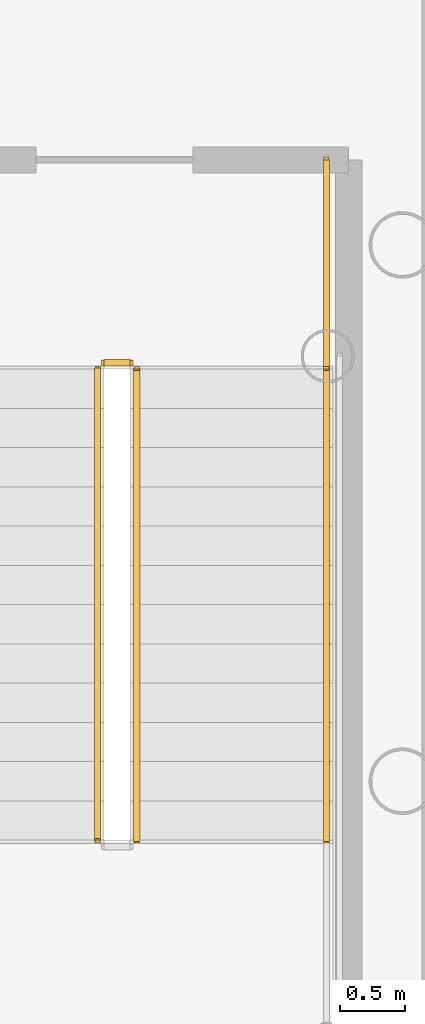
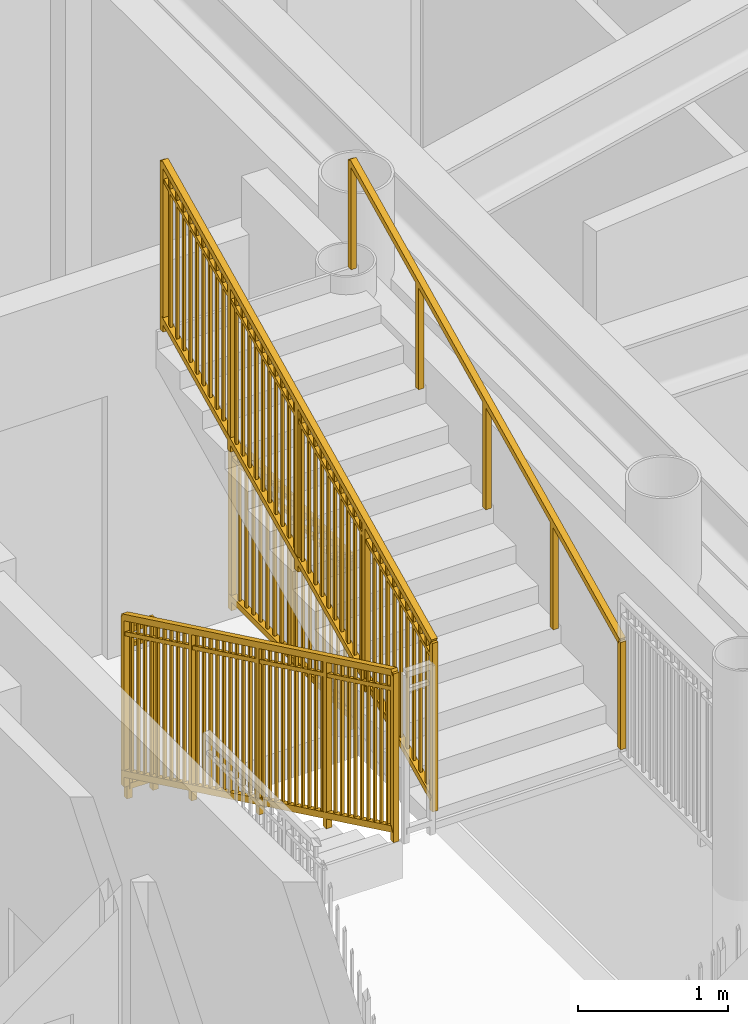
# One storey, part 17 of 18: 5 railings.
"""IFC4 building model written with IfcOpenShell, lengths in metres."""

from ifc_helpers import new_model, si_unit, direction, frame, origin, origin_2d, place, context, subcontext, project, spatial, rectangle, extrude, source, transform, mapped, material, type_object, element, save


model = new_model("IFC4")

# Units and contexts
model_context = context("Model", 3, precision=1e-05, world=origin(), true_north=direction((0.0, 1.0)))
body_context = subcontext(model_context, "Body", "Model", "MODEL_VIEW")
ifc_project = project(units=[si_unit("LENGTHUNIT", "METRE"), si_unit("AREAUNIT", "SQUARE_METRE"), si_unit("VOLUMEUNIT", "CUBIC_METRE"), si_unit("PLANEANGLEUNIT", "RADIAN"), si_unit("MASSUNIT", "GRAM", prefix="KILO")], contexts=[model_context])

# Site, building, storey
site_placement = place(None, origin())
site = spatial("IfcSite", under=ifc_project, at=site_placement, CompositionType="ELEMENT")
building_placement = place(site_placement, origin())
building = spatial("IfcBuilding", under=site, at=building_placement, Name="Linh Dai School and Residence Tower", CompositionType="ELEMENT")
storey_placement = place(building_placement, frame((0.0, 0.0, 178.64990234375)))
storey = spatial("IfcBuildingStorey", under=building, at=storey_placement, Name="L43", CompositionType="ELEMENT", Elevation=178.64990234375)

# Railings
ifc_material_1 = material(Name="Structural Steel S355JR", Category="steel")
railing_type_1 = type_object("IfcRailingType", Name="RL-ST-GUARD-1400", PredefinedType="GUARDRAIL", material=ifc_material_1)
shared_shape_1 = source(origin(), body_context, "Body", "SweptSolid", [
    extrude(rectangle(XDim=0.048095703125, YDim=0.048095703125, at=origin_2d()), frame((0.0, 0.0, 1.3759765625), z_axis=(0.0, 0.901262522062, 0.433273431364), x_axis=(-1.0, 0.0, 0.0)), (0.0, 0.0, 1.0), 3.994384765625),
    extrude(rectangle(XDim=0.048095703125, YDim=0.048095703125, at=origin_2d()), frame((0.0, 0.0, 0.10009765625), z_axis=(0.0, 0.901262522062, 0.433273431364), x_axis=(-1.0, 0.0, 0.0)), (0.0, 0.0, 1.0), 3.994384765625),
    extrude(rectangle(XDim=0.030029296875, YDim=0.030029296875, at=origin_2d()), frame((0.0, 0.0, 1.239990234375), z_axis=(0.0, 0.901262522062, 0.433273431364), x_axis=(-1.0, 0.0, 0.0)), (0.0, 0.0, 1.0), 3.994384765625),
    extrude(rectangle(XDim=0.02001953125, YDim=0.02001953125, at=origin_2d()), frame((0.0, 0.087890625, 0.142333984375)), (0.0, 0.0, 1.0), 1.251708984375),
    extrude(rectangle(XDim=0.02001953125, YDim=0.02001953125, at=origin_2d()), frame((0.0, 0.175537109375, 0.1845703125)), (0.0, 0.0, 1.0), 1.251708984375),
    extrude(rectangle(XDim=0.02001953125, YDim=0.02001953125, at=origin_2d()), frame((0.0, 0.263427734375, 0.226806640625)), (0.0, 0.0, 1.0), 1.251708984375),
    extrude(rectangle(XDim=0.02001953125, YDim=0.02001953125, at=origin_2d()), frame((0.0, 0.351318359375, 0.26904296875)), (0.0, 0.0, 1.0), 1.251708984375),
    extrude(rectangle(XDim=0.02001953125, YDim=0.02001953125, at=origin_2d()), frame((0.0, 0.43896484375, 0.311279296875)), (0.0, 0.0, 1.0), 1.251708984375),
    extrude(rectangle(XDim=0.02001953125, YDim=0.02001953125, at=origin_2d()), frame((0.0, 0.52685546875, 0.353271484375)), (0.0, 0.0, 1.0), 1.251708984375),
    extrude(rectangle(XDim=0.02001953125, YDim=0.02001953125, at=origin_2d()), frame((0.0, 0.61474609375, 0.3955078125)), (0.0, 0.0, 1.0), 1.251708984375),
    extrude(rectangle(XDim=0.02001953125, YDim=0.02001953125, at=origin_2d()), frame((0.0, 0.702392578125, 0.437744140625)), (0.0, 0.0, 1.0), 1.251708984375),
    extrude(rectangle(XDim=0.02001953125, YDim=0.02001953125, at=origin_2d()), frame((0.0, 0.790283203125, 0.47998046875)), (0.0, 0.0, 1.0), 1.251708984375),
    extrude(rectangle(XDim=0.02001953125, YDim=0.02001953125, at=origin_2d()), frame((0.0, 0.9658203125, 0.564453125)), (0.0, 0.0, 1.0), 1.251708984375),
    extrude(rectangle(XDim=0.02001953125, YDim=0.02001953125, at=origin_2d()), frame((0.0, 1.0537109375, 0.606689453125)), (0.0, 0.0, 1.0), 1.251708984375),
    extrude(rectangle(XDim=0.02001953125, YDim=0.02001953125, at=origin_2d()), frame((0.0, 1.1416015625, 0.64892578125)), (0.0, 0.0, 1.0), 1.251708984375),
    extrude(rectangle(XDim=0.02001953125, YDim=0.02001953125, at=origin_2d()), frame((0.0, 1.229248046875, 0.691162109375)), (0.0, 0.0, 1.0), 1.251708984375),
    extrude(rectangle(XDim=0.02001953125, YDim=0.02001953125, at=origin_2d()), frame((0.0, 1.317138671875, 0.7333984375)), (0.0, 0.0, 1.0), 1.251708984375),
    extrude(rectangle(XDim=0.02001953125, YDim=0.02001953125, at=origin_2d()), frame((0.0, 1.405029296875, 0.775390625)), (0.0, 0.0, 1.0), 1.251708984375),
    extrude(rectangle(XDim=0.02001953125, YDim=0.02001953125, at=origin_2d()), frame((0.0, 1.49267578125, 0.817626953125)), (0.0, 0.0, 1.0), 1.251708984375),
    extrude(rectangle(XDim=0.02001953125, YDim=0.02001953125, at=origin_2d()), frame((0.0, 1.58056640625, 0.85986328125)), (0.0, 0.0, 1.0), 1.251708984375),
    extrude(rectangle(XDim=0.02001953125, YDim=0.02001953125, at=origin_2d()), frame((0.0, 1.66845703125, 0.902099609375)), (0.0, 0.0, 1.0), 1.251708984375),
    extrude(rectangle(XDim=0.02001953125, YDim=0.02001953125, at=origin_2d()), frame((0.0, 1.756103515625, 0.9443359375)), (0.0, 0.0, 1.0), 1.251708984375),
    extrude(rectangle(XDim=0.02001953125, YDim=0.02001953125, at=origin_2d()), frame((0.0, 1.843994140625, 0.986572265625)), (0.0, 0.0, 1.0), 1.251708984375),
    extrude(rectangle(XDim=0.02001953125, YDim=0.02001953125, at=origin_2d()), frame((0.0, 1.931640625, 1.02880859375)), (0.0, 0.0, 1.0), 1.251708984375),
    extrude(rectangle(XDim=0.02001953125, YDim=0.02001953125, at=origin_2d()), frame((0.0, 2.01953125, 1.071044921875)), (0.0, 0.0, 1.0), 1.251708984375),
    extrude(rectangle(XDim=0.02001953125, YDim=0.02001953125, at=origin_2d()), frame((0.0, 2.107421875, 1.11328125)), (0.0, 0.0, 1.0), 1.251708984375),
    extrude(rectangle(XDim=0.02001953125, YDim=0.02001953125, at=origin_2d()), frame((0.0, 2.195068359375, 1.155517578125)), (0.0, 0.0, 1.0), 1.251708984375),
    extrude(rectangle(XDim=0.02001953125, YDim=0.02001953125, at=origin_2d()), frame((0.0, 2.282958984375, 1.197509765625)), (0.0, 0.0, 1.0), 1.251708984375),
    extrude(rectangle(XDim=0.02001953125, YDim=0.02001953125, at=origin_2d()), frame((0.0, 2.370849609375, 1.23974609375)), (0.0, 0.0, 1.0), 1.251708984375),
    extrude(rectangle(XDim=0.02001953125, YDim=0.02001953125, at=origin_2d()), frame((0.0, 2.45849609375, 1.281982421875)), (0.0, 0.0, 1.0), 1.251708984375),
    extrude(rectangle(XDim=0.02001953125, YDim=0.02001953125, at=origin_2d()), frame((0.0, 2.54638671875, 1.32421875)), (0.0, 0.0, 1.0), 1.251708984375),
    extrude(rectangle(XDim=0.02001953125, YDim=0.02001953125, at=origin_2d()), frame((0.0, 2.63427734375, 1.366455078125)), (0.0, 0.0, 1.0), 1.251708984375),
    extrude(rectangle(XDim=0.02001953125, YDim=0.02001953125, at=origin_2d()), frame((0.0, 2.809814453125, 1.450927734375)), (0.0, 0.0, 1.0), 1.251708984375),
    extrude(rectangle(XDim=0.02001953125, YDim=0.02001953125, at=origin_2d()), frame((0.0, 2.897705078125, 1.4931640625)), (0.0, 0.0, 1.0), 1.251708984375),
    extrude(rectangle(XDim=0.02001953125, YDim=0.02001953125, at=origin_2d()), frame((0.0, 2.9853515625, 1.535400390625)), (0.0, 0.0, 1.0), 1.251708984375),
    extrude(rectangle(XDim=0.02001953125, YDim=0.02001953125, at=origin_2d()), frame((0.0, 3.0732421875, 1.57763671875)), (0.0, 0.0, 1.0), 1.251708984375),
    extrude(rectangle(XDim=0.02001953125, YDim=0.02001953125, at=origin_2d()), frame((0.0, 3.1611328125, 1.61962890625)), (0.0, 0.0, 1.0), 1.251708984375),
    extrude(rectangle(XDim=0.02001953125, YDim=0.02001953125, at=origin_2d()), frame((0.0, 3.248779296875, 1.661865234375)), (0.0, 0.0, 1.0), 1.251708984375),
    extrude(rectangle(XDim=0.02001953125, YDim=0.02001953125, at=origin_2d()), frame((0.0, 3.336669921875, 1.7041015625)), (0.0, 0.0, 1.0), 1.251708984375),
    extrude(rectangle(XDim=0.02001953125, YDim=0.02001953125, at=origin_2d()), frame((0.0, 3.424560546875, 1.746337890625)), (0.0, 0.0, 1.0), 1.251708984375),
    extrude(rectangle(XDim=0.02001953125, YDim=0.02001953125, at=origin_2d()), frame((0.0, 3.51220703125, 1.78857421875)), (0.0, 0.0, 1.0), 1.251708984375),
    extrude(rectangle(XDim=0.0419921875, YDim=0.0419921875, at=origin_2d()), origin(), (0.0, 0.0, 1.0), 1.3759765625),
    extrude(rectangle(XDim=0.0419921875, YDim=0.0419921875, at=origin_2d()), frame((0.0, 0.89990234375, 0.4326171875)), (0.0, 0.0, 1.0), 1.3759765625),
    extrude(rectangle(XDim=0.0419921875, YDim=0.0419921875, at=origin_2d()), frame((0.0, 1.800048828125, 0.865234375)), (0.0, 0.0, 1.0), 1.3759765625),
    extrude(rectangle(XDim=0.0419921875, YDim=0.0419921875, at=origin_2d()), frame((0.0, 2.7001953125, 1.298095703125)), (0.0, 0.0, 1.0), 1.3759765625),
    extrude(rectangle(XDim=0.0419921875, YDim=0.0419921875, at=origin_2d()), frame((0.0, 3.60009765625, 1.730712890625)), (0.0, 0.0, 1.0), 1.3759765625),
])
railing_1_placement = place(storey_placement, frame((42.820068359375, 24.64990234375, 2.019287109375)))
element("IfcRailing", 1, at=railing_1_placement, inside=storey, type_object=railing_type_1, Name="L43 ST2 stair guard 6", PredefinedType="GUARDRAIL", context=body_context, shape_type="MappedRepresentation", body=[
    mapped(shared_shape_1, transform((0.0, 0.0, 0.0), x_axis=(1.0, 0.0, 0.0), y_axis=(0.0, 1.0, 0.0), z_axis=(0.0, 0.0, 1.0), scale=1.0)),
])
shared_shape_2 = source(origin(), body_context, "Body", "SweptSolid", [
    extrude(rectangle(XDim=0.048095703125, YDim=0.048095703125, at=origin_2d()), frame((0.0, 0.0, 1.3759765625), z_axis=(0.0, -0.901262522062, 0.433273431364), x_axis=(1.0, 0.0, 0.0)), (0.0, 0.0, 1.0), 3.994384765625),
    extrude(rectangle(XDim=0.048095703125, YDim=0.048095703125, at=origin_2d()), frame((0.0, 0.0, 0.10009765625), z_axis=(0.0, -0.901262522062, 0.433273431364), x_axis=(1.0, 0.0, 0.0)), (0.0, 0.0, 1.0), 3.994384765625),
    extrude(rectangle(XDim=0.030029296875, YDim=0.030029296875, at=origin_2d()), frame((0.0, 0.0, 1.239990234375), z_axis=(0.0, -0.901262522062, 0.433273431364), x_axis=(1.0, 0.0, 0.0)), (0.0, 0.0, 1.0), 3.994384765625),
    extrude(rectangle(XDim=0.02001953125, YDim=0.02001953125, at=origin_2d()), frame((0.0, -0.087890625, 0.142333984375)), (0.0, 0.0, 1.0), 1.251708984375),
    extrude(rectangle(XDim=0.02001953125, YDim=0.02001953125, at=origin_2d()), frame((0.0, -0.175537109375, 0.1845703125)), (0.0, 0.0, 1.0), 1.251708984375),
    extrude(rectangle(XDim=0.02001953125, YDim=0.02001953125, at=origin_2d()), frame((0.0, -0.263427734375, 0.226806640625)), (0.0, 0.0, 1.0), 1.251708984375),
    extrude(rectangle(XDim=0.02001953125, YDim=0.02001953125, at=origin_2d()), frame((0.0, -0.351318359375, 0.26904296875)), (0.0, 0.0, 1.0), 1.251708984375),
    extrude(rectangle(XDim=0.02001953125, YDim=0.02001953125, at=origin_2d()), frame((0.0, -0.43896484375, 0.311279296875)), (0.0, 0.0, 1.0), 1.251708984375),
    extrude(rectangle(XDim=0.02001953125, YDim=0.02001953125, at=origin_2d()), frame((0.0, -0.52685546875, 0.353271484375)), (0.0, 0.0, 1.0), 1.251708984375),
    extrude(rectangle(XDim=0.02001953125, YDim=0.02001953125, at=origin_2d()), frame((0.0, -0.61474609375, 0.3955078125)), (0.0, 0.0, 1.0), 1.251708984375),
    extrude(rectangle(XDim=0.02001953125, YDim=0.02001953125, at=origin_2d()), frame((0.0, -0.702392578125, 0.437744140625)), (0.0, 0.0, 1.0), 1.251708984375),
    extrude(rectangle(XDim=0.02001953125, YDim=0.02001953125, at=origin_2d()), frame((0.0, -0.790283203125, 0.47998046875)), (0.0, 0.0, 1.0), 1.251708984375),
    extrude(rectangle(XDim=0.02001953125, YDim=0.02001953125, at=origin_2d()), frame((0.0, -0.9658203125, 0.564453125)), (0.0, 0.0, 1.0), 1.251708984375),
    extrude(rectangle(XDim=0.02001953125, YDim=0.02001953125, at=origin_2d()), frame((0.0, -1.0537109375, 0.606689453125)), (0.0, 0.0, 1.0), 1.251708984375),
    extrude(rectangle(XDim=0.02001953125, YDim=0.02001953125, at=origin_2d()), frame((0.0, -1.1416015625, 0.64892578125)), (0.0, 0.0, 1.0), 1.251708984375),
    extrude(rectangle(XDim=0.02001953125, YDim=0.02001953125, at=origin_2d()), frame((0.0, -1.229248046875, 0.691162109375)), (0.0, 0.0, 1.0), 1.251708984375),
    extrude(rectangle(XDim=0.02001953125, YDim=0.02001953125, at=origin_2d()), frame((0.0, -1.317138671875, 0.7333984375)), (0.0, 0.0, 1.0), 1.251708984375),
    extrude(rectangle(XDim=0.02001953125, YDim=0.02001953125, at=origin_2d()), frame((0.0, -1.405029296875, 0.775390625)), (0.0, 0.0, 1.0), 1.251708984375),
    extrude(rectangle(XDim=0.02001953125, YDim=0.02001953125, at=origin_2d()), frame((0.0, -1.49267578125, 0.817626953125)), (0.0, 0.0, 1.0), 1.251708984375),
    extrude(rectangle(XDim=0.02001953125, YDim=0.02001953125, at=origin_2d()), frame((0.0, -1.58056640625, 0.85986328125)), (0.0, 0.0, 1.0), 1.251708984375),
    extrude(rectangle(XDim=0.02001953125, YDim=0.02001953125, at=origin_2d()), frame((0.0, -1.66845703125, 0.902099609375)), (0.0, 0.0, 1.0), 1.251708984375),
    extrude(rectangle(XDim=0.02001953125, YDim=0.02001953125, at=origin_2d()), frame((0.0, -1.756103515625, 0.9443359375)), (0.0, 0.0, 1.0), 1.251708984375),
    extrude(rectangle(XDim=0.02001953125, YDim=0.02001953125, at=origin_2d()), frame((0.0, -1.843994140625, 0.986572265625)), (0.0, 0.0, 1.0), 1.251708984375),
    extrude(rectangle(XDim=0.02001953125, YDim=0.02001953125, at=origin_2d()), frame((0.0, -1.931640625, 1.02880859375)), (0.0, 0.0, 1.0), 1.251708984375),
    extrude(rectangle(XDim=0.02001953125, YDim=0.02001953125, at=origin_2d()), frame((0.0, -2.01953125, 1.071044921875)), (0.0, 0.0, 1.0), 1.251708984375),
    extrude(rectangle(XDim=0.02001953125, YDim=0.02001953125, at=origin_2d()), frame((0.0, -2.107421875, 1.11328125)), (0.0, 0.0, 1.0), 1.251708984375),
    extrude(rectangle(XDim=0.02001953125, YDim=0.02001953125, at=origin_2d()), frame((0.0, -2.195068359375, 1.155517578125)), (0.0, 0.0, 1.0), 1.251708984375),
    extrude(rectangle(XDim=0.02001953125, YDim=0.02001953125, at=origin_2d()), frame((0.0, -2.282958984375, 1.197509765625)), (0.0, 0.0, 1.0), 1.251708984375),
    extrude(rectangle(XDim=0.02001953125, YDim=0.02001953125, at=origin_2d()), frame((0.0, -2.370849609375, 1.23974609375)), (0.0, 0.0, 1.0), 1.251708984375),
    extrude(rectangle(XDim=0.02001953125, YDim=0.02001953125, at=origin_2d()), frame((0.0, -2.45849609375, 1.281982421875)), (0.0, 0.0, 1.0), 1.251708984375),
    extrude(rectangle(XDim=0.02001953125, YDim=0.02001953125, at=origin_2d()), frame((0.0, -2.54638671875, 1.32421875)), (0.0, 0.0, 1.0), 1.251708984375),
    extrude(rectangle(XDim=0.02001953125, YDim=0.02001953125, at=origin_2d()), frame((0.0, -2.63427734375, 1.366455078125)), (0.0, 0.0, 1.0), 1.251708984375),
    extrude(rectangle(XDim=0.02001953125, YDim=0.02001953125, at=origin_2d()), frame((0.0, -2.809814453125, 1.450927734375)), (0.0, 0.0, 1.0), 1.251708984375),
    extrude(rectangle(XDim=0.02001953125, YDim=0.02001953125, at=origin_2d()), frame((0.0, -2.897705078125, 1.4931640625)), (0.0, 0.0, 1.0), 1.251708984375),
    extrude(rectangle(XDim=0.02001953125, YDim=0.02001953125, at=origin_2d()), frame((0.0, -2.9853515625, 1.535400390625)), (0.0, 0.0, 1.0), 1.251708984375),
    extrude(rectangle(XDim=0.02001953125, YDim=0.02001953125, at=origin_2d()), frame((0.0, -3.0732421875, 1.57763671875)), (0.0, 0.0, 1.0), 1.251708984375),
    extrude(rectangle(XDim=0.02001953125, YDim=0.02001953125, at=origin_2d()), frame((0.0, -3.1611328125, 1.61962890625)), (0.0, 0.0, 1.0), 1.251708984375),
    extrude(rectangle(XDim=0.02001953125, YDim=0.02001953125, at=origin_2d()), frame((0.0, -3.248779296875, 1.661865234375)), (0.0, 0.0, 1.0), 1.251708984375),
    extrude(rectangle(XDim=0.02001953125, YDim=0.02001953125, at=origin_2d()), frame((0.0, -3.336669921875, 1.7041015625)), (0.0, 0.0, 1.0), 1.251708984375),
    extrude(rectangle(XDim=0.02001953125, YDim=0.02001953125, at=origin_2d()), frame((0.0, -3.424560546875, 1.746337890625)), (0.0, 0.0, 1.0), 1.251708984375),
    extrude(rectangle(XDim=0.02001953125, YDim=0.02001953125, at=origin_2d()), frame((0.0, -3.51220703125, 1.78857421875)), (0.0, 0.0, 1.0), 1.251708984375),
    extrude(rectangle(XDim=0.0419921875, YDim=0.0419921875, at=origin_2d()), origin(), (0.0, 0.0, 1.0), 1.3759765625),
    extrude(rectangle(XDim=0.0419921875, YDim=0.0419921875, at=origin_2d()), frame((0.0, -0.89990234375, 0.4326171875)), (0.0, 0.0, 1.0), 1.3759765625),
    extrude(rectangle(XDim=0.0419921875, YDim=0.0419921875, at=origin_2d()), frame((0.0, -1.800048828125, 0.865234375)), (0.0, 0.0, 1.0), 1.3759765625),
    extrude(rectangle(XDim=0.0419921875, YDim=0.0419921875, at=origin_2d()), frame((0.0, -2.7001953125, 1.298095703125)), (0.0, 0.0, 1.0), 1.3759765625),
    extrude(rectangle(XDim=0.0419921875, YDim=0.0419921875, at=origin_2d()), frame((0.0, -3.60009765625, 1.730712890625)), (0.0, 0.0, 1.0), 1.3759765625),
])
railing_2_placement = place(storey_placement, frame((42.52001953125, 28.25, 0.144287109375)))
element("IfcRailing", 2, at=railing_2_placement, inside=storey, type_object=railing_type_1, Name="L43 ST2 stair guard 1", PredefinedType="GUARDRAIL", context=body_context, shape_type="MappedRepresentation", body=[
    mapped(shared_shape_2, transform((0.0, 0.0, 0.0), x_axis=(1.0, 0.0, 0.0), y_axis=(0.0, 1.0, 0.0), z_axis=(0.0, 0.0, 1.0), scale=1.0)),
])
ifc_material_2 = material(Name="Brushed Stainless Steel Handrail", Category="steel")
railing_type_2 = type_object("IfcRailingType", Name="RL-ST-HANDRAIL-900", PredefinedType="HANDRAIL", material=ifc_material_2)
shared_shape_3 = source(origin(), body_context, "Body", "SweptSolid", [
    extrude(rectangle(XDim=0.048095703125, YDim=0.048095703125, at=origin_2d()), frame((0.0, 0.0, 0.8759765625), z_axis=(0.0, 0.901262522062, 0.433273431364), x_axis=(-1.0, 0.0, 0.0)), (0.0, 0.0, 1.0), 3.994384765625),
    extrude(rectangle(XDim=0.0419921875, YDim=0.0419921875, at=origin_2d()), origin(), (0.0, 0.0, 1.0), 0.8759765625),
    extrude(rectangle(XDim=0.0419921875, YDim=0.0419921875, at=origin_2d()), frame((0.0, 0.89990234375, 0.4326171875)), (0.0, 0.0, 1.0), 0.8759765625),
    extrude(rectangle(XDim=0.0419921875, YDim=0.0419921875, at=origin_2d()), frame((0.0, 1.800048828125, 0.865234375)), (0.0, 0.0, 1.0), 0.8759765625),
    extrude(rectangle(XDim=0.0419921875, YDim=0.0419921875, at=origin_2d()), frame((0.0, 2.7001953125, 1.298095703125)), (0.0, 0.0, 1.0), 0.8759765625),
    extrude(rectangle(XDim=0.0419921875, YDim=0.0419921875, at=origin_2d()), frame((0.0, 3.60009765625, 1.730712890625)), (0.0, 0.0, 1.0), 0.8759765625),
])
railing_3_placement = place(storey_placement, frame((44.27001953125, 24.64990234375, 2.019287109375)))
element("IfcRailing", 3, at=railing_3_placement, inside=storey, type_object=railing_type_2, Name="L43 ST2 stair handrail 2", PredefinedType="HANDRAIL", context=body_context, shape_type="MappedRepresentation", body=[
    mapped(shared_shape_3, transform((0.0, 0.0, 0.0), x_axis=(1.0, 0.0, 0.0), y_axis=(0.0, 1.0, 0.0), z_axis=(0.0, 0.0, 1.0), scale=1.0)),
])
shared_shape_4 = source(origin(), body_context, "Body", "SweptSolid", [
    extrude(rectangle(XDim=0.048095703125, YDim=0.048095703125, at=origin_2d()), frame((0.0, 0.0, 1.3759765625), z_axis=(1.0, 0.0, 0.0), x_axis=(0.0, 1.0, 0.0)), (0.0, 0.0, 1.0), 0.199951171875),
    extrude(rectangle(XDim=0.048095703125, YDim=0.048095703125, at=origin_2d()), frame((0.0, 0.0, 0.10009765625), z_axis=(1.0, 0.0, 0.0), x_axis=(0.0, 1.0, 0.0)), (0.0, 0.0, 1.0), 0.199951171875),
    extrude(rectangle(XDim=0.030029296875, YDim=0.030029296875, at=origin_2d()), frame((0.0, 0.0, 1.239990234375), z_axis=(1.0, 0.0, 0.0), x_axis=(0.0, 1.0, 0.0)), (0.0, 0.0, 1.0), 0.199951171875),
    extrude(rectangle(XDim=0.0419921875, YDim=0.0419921875, at=origin_2d()), origin(), (0.0, 0.0, 1.0), 1.3759765625),
    extrude(rectangle(XDim=0.0419921875, YDim=0.0419921875, at=origin_2d()), frame((0.199951171875, 0.0, 0.0)), (0.0, 0.0, 1.0), 1.3759765625),
])
railing_4_placement = place(storey_placement, frame((42.570068359375, 28.300048828125, 0.0)))
element("IfcRailing", 4, at=railing_4_placement, inside=storey, type_object=railing_type_1, Name="L43 ST2 stair guard 7", PredefinedType="GUARDRAIL", context=body_context, shape_type="MappedRepresentation", body=[
    mapped(shared_shape_4, transform((0.0, 0.0, 0.0), x_axis=(1.0, 0.0, 0.0), y_axis=(0.0, 1.0, 0.0), z_axis=(0.0, 0.0, 1.0), scale=1.0)),
])
shared_shape_5 = source(origin(), body_context, "Body", "SweptSolid", [
    extrude(rectangle(XDim=0.048095703125, YDim=0.048095703125, at=origin_2d()), frame((0.0, 0.0, 1.3759765625), z_axis=(0.0, -1.0, 0.0), x_axis=(1.0, 0.0, 0.0)), (0.0, 0.0, 1.0), 1.60009765625),
    extrude(rectangle(XDim=0.048095703125, YDim=0.048095703125, at=origin_2d()), frame((0.0, 0.0, 0.10009765625), z_axis=(0.0, -1.0, 0.0), x_axis=(1.0, 0.0, 0.0)), (0.0, 0.0, 1.0), 1.60009765625),
    extrude(rectangle(XDim=0.030029296875, YDim=0.030029296875, at=origin_2d()), frame((0.0, 0.0, 1.239990234375), z_axis=(0.0, -1.0, 0.0), x_axis=(1.0, 0.0, 0.0)), (0.0, 0.0, 1.0), 1.60009765625),
    extrude(rectangle(XDim=0.02001953125, YDim=0.02001953125, at=origin_2d()), frame((0.0, -0.09423828125, 0.10009765625)), (0.0, 0.0, 1.0), 1.251708984375),
    extrude(rectangle(XDim=0.02001953125, YDim=0.02001953125, at=origin_2d()), frame((0.0, -0.188232421875, 0.10009765625)), (0.0, 0.0, 1.0), 1.251708984375),
    extrude(rectangle(XDim=0.02001953125, YDim=0.02001953125, at=origin_2d()), frame((0.0, -0.282470703125, 0.10009765625)), (0.0, 0.0, 1.0), 1.251708984375),
    extrude(rectangle(XDim=0.02001953125, YDim=0.02001953125, at=origin_2d()), frame((0.0, -0.37646484375, 0.10009765625)), (0.0, 0.0, 1.0), 1.251708984375),
    extrude(rectangle(XDim=0.02001953125, YDim=0.02001953125, at=origin_2d()), frame((0.0, -0.470703125, 0.10009765625)), (0.0, 0.0, 1.0), 1.251708984375),
    extrude(rectangle(XDim=0.02001953125, YDim=0.02001953125, at=origin_2d()), frame((0.0, -0.564697265625, 0.10009765625)), (0.0, 0.0, 1.0), 1.251708984375),
    extrude(rectangle(XDim=0.02001953125, YDim=0.02001953125, at=origin_2d()), frame((0.0, -0.658935546875, 0.10009765625)), (0.0, 0.0, 1.0), 1.251708984375),
    extrude(rectangle(XDim=0.02001953125, YDim=0.02001953125, at=origin_2d()), frame((0.0, -0.7529296875, 0.10009765625)), (0.0, 0.0, 1.0), 1.251708984375),
    extrude(rectangle(XDim=0.02001953125, YDim=0.02001953125, at=origin_2d()), frame((0.0, -0.84716796875, 0.10009765625)), (0.0, 0.0, 1.0), 1.251708984375),
    extrude(rectangle(XDim=0.02001953125, YDim=0.02001953125, at=origin_2d()), frame((0.0, -0.941162109375, 0.10009765625)), (0.0, 0.0, 1.0), 1.251708984375),
    extrude(rectangle(XDim=0.02001953125, YDim=0.02001953125, at=origin_2d()), frame((0.0, -1.035400390625, 0.10009765625)), (0.0, 0.0, 1.0), 1.251708984375),
    extrude(rectangle(XDim=0.02001953125, YDim=0.02001953125, at=origin_2d()), frame((0.0, -1.12939453125, 0.10009765625)), (0.0, 0.0, 1.0), 1.251708984375),
    extrude(rectangle(XDim=0.02001953125, YDim=0.02001953125, at=origin_2d()), frame((0.0, -1.2236328125, 0.10009765625)), (0.0, 0.0, 1.0), 1.251708984375),
    extrude(rectangle(XDim=0.02001953125, YDim=0.02001953125, at=origin_2d()), frame((0.0, -1.317626953125, 0.10009765625)), (0.0, 0.0, 1.0), 1.251708984375),
    extrude(rectangle(XDim=0.02001953125, YDim=0.02001953125, at=origin_2d()), frame((0.0, -1.411865234375, 0.10009765625)), (0.0, 0.0, 1.0), 1.251708984375),
    extrude(rectangle(XDim=0.02001953125, YDim=0.02001953125, at=origin_2d()), frame((0.0, -1.505859375, 0.10009765625)), (0.0, 0.0, 1.0), 1.251708984375),
    extrude(rectangle(XDim=0.0419921875, YDim=0.0419921875, at=origin_2d()), origin(), (0.0, 0.0, 1.0), 1.3759765625),
    extrude(rectangle(XDim=0.0419921875, YDim=0.0419921875, at=origin_2d()), frame((0.0, -0.800048828125, 0.0)), (0.0, 0.0, 1.0), 1.3759765625),
    extrude(rectangle(XDim=0.0419921875, YDim=0.0419921875, at=origin_2d()), frame((0.0, -1.60009765625, 0.0)), (0.0, 0.0, 1.0), 1.3759765625),
])
railing_5_placement = place(storey_placement, frame((44.27001953125, 29.85009765625, 0.0)))
element("IfcRailing", 5, at=railing_5_placement, inside=storey, type_object=railing_type_1, Name="L43 ST2 stair guard 9", PredefinedType="GUARDRAIL", context=body_context, shape_type="MappedRepresentation", body=[
    mapped(shared_shape_5, transform((0.0, 0.0, 0.0), x_axis=(1.0, 0.0, 0.0), y_axis=(0.0, 1.0, 0.0), z_axis=(0.0, 0.0, 1.0), scale=1.0)),
])

save(model, "model.ifc")
